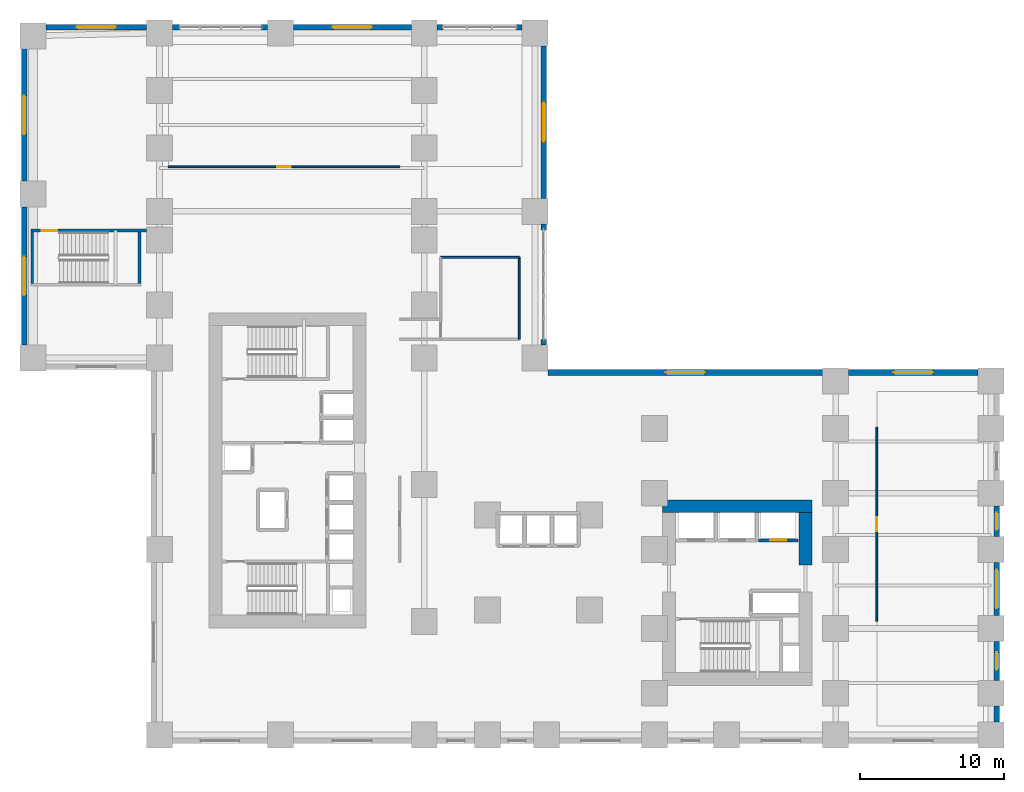
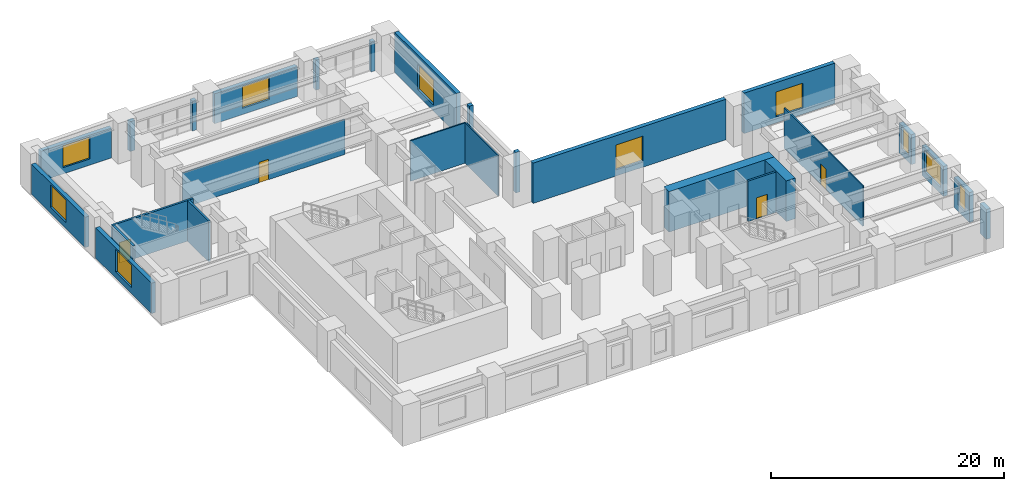
# One storey, part 9 of 13: 27 walls, 10 windows, 4 doors, 14 openings.
"""IFC4 building model written with IfcOpenShell, lengths in metres."""

from ifc_helpers import new_model, si_unit, direction, frame, frame_2d, origin, place, context, subcontext, project, spatial, rectangle, extrude, source, transform, mapped, material, layer, layer_set, type_object, element, fill, save


model = new_model("IFC4")

# Units and contexts
model_context = context("Model", 3, precision=1e-05, world=origin(), true_north=direction((0.0, 1.0)))
body_context = subcontext(model_context, "Body", "Model", "MODEL_VIEW")
ifc_project = project(units=[si_unit("LENGTHUNIT", "METRE"), si_unit("AREAUNIT", "SQUARE_METRE"), si_unit("VOLUMEUNIT", "CUBIC_METRE"), si_unit("PLANEANGLEUNIT", "RADIAN"), si_unit("MASSUNIT", "GRAM", prefix="KILO")], contexts=[model_context])

# Site, building, storey
site_placement = place(None, origin())
site = spatial("IfcSite", under=ifc_project, at=site_placement, CompositionType="ELEMENT")
building_placement = place(site_placement, origin())
building = spatial("IfcBuilding", under=site, at=building_placement, Name="Kharzan Plaza Tower", CompositionType="ELEMENT")
storey_placement = place(building_placement, frame((0.0, 0.0, 4.5)))
storey = spatial("IfcBuildingStorey", under=building, at=storey_placement, Name="L01", CompositionType="ELEMENT", Elevation=4.5)

# Wall, opening, door
ifc_material_1 = material(Name="Fire-Rated Gypsum Board Partition", Category="gypsum")
ifc_layer_1 = layer(ifc_material_1, 0.125)
ifc_layer_set_1 = layer_set([ifc_layer_1], Name="Fire-Rated Gypsum Board Partition")
wall_type_1 = type_object("IfcWallType", Name="WL-INT-PART-125", PredefinedType="PARTITIONING", material=ifc_layer_set_1)
wall_1_placement = place(storey_placement, frame((1.199951171875, 40.10009765625, 0.0), z_axis=(0.0, 0.0, 1.0), x_axis=(1.0, 0.0, 0.0)))
wall_1 = element("IfcWall", 1, at=wall_1_placement, inside=storey, type_object=wall_type_1, Name="L01 Interior Partition L01-W1", PredefinedType="PARTITIONING", context=body_context, shape_type="SweptSolid", body=[
    extrude(rectangle(XDim=16.10009765625, YDim=0.125, at=frame_2d((8.050048828125, 0.0))), origin(), (0.0, 0.0, 1.0), 3.68603515625),
])
opening_1_placement = place(wall_1_placement, frame((7.574951171875, 0.0, 0.0)))
opening_1 = element("IfcOpeningElement", 2, at=opening_1_placement, cuts=wall_1, Name="Opening OD1", PredefinedType="OPENING", context=body_context, shape_type="SweptSolid", body=[
    extrude(rectangle(XDim=0.949951171875, YDim=2.14990234375, at=frame_2d((0.47509765625, 1.074951171875))), frame((0.0, 0.072509765625, 0.0), z_axis=(0.0, -1.0, 0.0), x_axis=(1.0, 0.0, 0.0)), (0.0, 0.0, 1.0), 0.14501953125),
])
ifc_material_2 = material(Name="Acoustic Solid-Core Stained Oak", Category="timber")
door_type_1 = type_object("IfcDoorType", Name="DR-OFF-SINGLE", OperationType="NOTDEFINED", PredefinedType="DOOR", material=ifc_material_2)
shared_shape_1 = source(origin(), body_context, "Body", "SweptSolid", [
    extrude(rectangle(XDim=0.949951171875, YDim=2.14990234375, at=frame_2d((0.47509765625, 1.074951171875))), frame((0.0, 0.02490234375, 0.0), z_axis=(0.0, -1.0, 0.0), x_axis=(1.0, 0.0, 0.0)), (0.0, 0.0, 1.0), 0.050048828125),
])
door_1_placement = place(opening_1_placement, origin())
door_1 = element("IfcDoor", 3, at=door_1_placement, inside=storey, type_object=door_type_1, Name="L01 Exhibition Hall Door", OperationType="SINGLE_SWING_LEFT", OverallHeight=2.14990234375, OverallWidth=0.949951171875, PredefinedType="DOOR", context=body_context, shape_type="MappedRepresentation", body=[
    mapped(shared_shape_1, transform((0.0, 0.0, 0.0), x_axis=(1.0, 0.0, 0.0), y_axis=(0.0, 1.0, 0.0), z_axis=(0.0, 0.0, 1.0))),
])
fill(opening_1, door_1)

wall_2_placement = place(storey_placement, frame((50.449951171875, 8.5, 0.0), z_axis=(0.0, 0.0, 1.0), x_axis=(0.0, 1.0, 0.0)))
wall_2 = element("IfcWall", 4, at=wall_2_placement, inside=storey, type_object=wall_type_1, Name="L01 Interior Partition L01-W2", PredefinedType="PARTITIONING", context=body_context, shape_type="SweptSolid", body=[
    extrude(rectangle(XDim=13.5, YDim=0.125, at=frame_2d((6.75, 0.0))), origin(), (0.0, 0.0, 1.0), 4.235107421875),
])
opening_2_placement = place(wall_2_placement, frame((6.27490234375, 0.0, 0.0)))
opening_2 = element("IfcOpeningElement", 5, at=opening_2_placement, cuts=wall_2, Name="Opening OD1", PredefinedType="OPENING", context=body_context, shape_type="SweptSolid", body=[
    extrude(rectangle(XDim=0.949951171875, YDim=2.14990234375, at=frame_2d((0.47509765625, 1.074951171875))), frame((0.0, 0.072509765625, 0.0), z_axis=(0.0, -1.0, 0.0), x_axis=(1.0, 0.0, 0.0)), (0.0, 0.0, 1.0), 0.14501953125),
])
door_2_placement = place(opening_2_placement, origin())
door_2 = element("IfcDoor", 6, at=door_2_placement, inside=storey, type_object=door_type_1, Name="L01 Lecture Hall Door", OperationType="SINGLE_SWING_RIGHT", OverallHeight=2.14990234375, OverallWidth=0.949951171875, PredefinedType="DOOR", context=body_context, shape_type="MappedRepresentation", body=[
    mapped(shared_shape_1, transform((0.0, 0.0, 0.0), x_axis=(1.0, 0.0, 0.0), y_axis=(0.0, 1.0, 0.0), z_axis=(0.0, 0.0, 1.0))),
])
fill(opening_2, door_2)

ifc_material_3 = material(Name="Concrete C40/50", Category="concrete")
ifc_layer_2 = layer(ifc_material_3, 0.199951171875)
ifc_layer_set_2 = layer_set([ifc_layer_2], Name="Concrete C40/50")
wall_type_2 = type_object("IfcWallType", Name="WL-INT-SHAFT-200", PredefinedType="PARTITIONING", material=ifc_layer_set_2)
wall_3_placement = place(storey_placement, frame((42.22998046875, 14.1298828125, 0.0), z_axis=(0.0, 0.0, 1.0), x_axis=(1.0, 0.0, 0.0)))
wall_3 = element("IfcWall", 7, at=wall_3_placement, inside=storey, type_object=wall_type_2, Name="L01 Interior Partition SHF-PL-L3-S", PredefinedType="PARTITIONING", context=body_context, shape_type="SweptSolid", body=[
    extrude(rectangle(XDim=2.739990234375, YDim=0.199951171875, at=frame_2d((1.3701171875, 0.0))), origin(), (0.0, 0.0, 1.0), 4.235107421875),
])
opening_3_placement = place(wall_3_placement, frame((0.820068359375, 0.0, 0.0)))
opening_3 = element("IfcOpeningElement", 8, at=opening_3_placement, cuts=wall_3, Name="Opening LD", PredefinedType="OPENING", context=body_context, shape_type="SweptSolid", body=[
    extrude(rectangle(XDim=1.10009765625, YDim=2.199951171875, at=frame_2d((0.550048828125, 1.10009765625))), frame((0.0, 0.10986328125, 0.0), z_axis=(0.0, -1.0, 0.0), x_axis=(1.0, 0.0, 0.0)), (0.0, 0.0, 1.0), 0.219970703125),
])
ifc_material_4 = material(Name="Brushed Stainless Steel", Category="steel")
door_type_2 = type_object("IfcDoorType", Name="DR-LIFT-SLIDE", OperationType="SLIDING_TO_LEFT", PredefinedType="DOOR", material=ifc_material_4)
shared_shape_2 = source(origin(), body_context, "Body", "SweptSolid", [
    extrude(rectangle(XDim=1.10009765625, YDim=2.199951171875, at=frame_2d((0.550048828125, 1.10009765625))), frame((0.0, 0.02490234375, 0.0), z_axis=(0.0, -1.0, 0.0), x_axis=(1.0, 0.0, 0.0)), (0.0, 0.0, 1.0), 0.050048828125),
])
door_3_placement = place(opening_3_placement, origin())
door_3 = element("IfcDoor", 9, at=door_3_placement, inside=storey, type_object=door_type_2, Name="L01 Low-Rise Passenger Lift PL-L3 Sliding Landing Door", OperationType="SLIDING_TO_LEFT", OverallHeight=2.199951171875, OverallWidth=1.10009765625, PredefinedType="DOOR", context=body_context, shape_type="MappedRepresentation", body=[
    mapped(shared_shape_2, transform((0.0, 0.0, 0.0), x_axis=(1.0, 0.0, 0.0), y_axis=(0.0, 1.0, 0.0), z_axis=(0.0, 0.0, 1.0))),
])
fill(opening_3, door_3)

# Wall, opening, window
ifc_layer_3 = layer(ifc_material_3, 0.39990234375)
ifc_layer_set_3 = layer_set([ifc_layer_3], Name="Concrete C40/50")
wall_type_3 = type_object("IfcWallType", Name="WL-POD-MAS-400", PredefinedType="SOLIDWALL", material=ifc_layer_set_3)
wall_4_placement = place(storey_placement, frame((57.501953125, 25.800048828125, 0.0), z_axis=(0.0, 0.0, 1.0), x_axis=(-1.0, 0.0, 0.0)))
wall_4 = element("IfcWall", 10, at=wall_4_placement, inside=storey, type_object=wall_type_3, Name="L01 Masonry-Frame Exterior Wall 01", PredefinedType="SOLIDWALL", context=body_context, shape_type="SweptSolid", body=[
    extrude(rectangle(XDim=9.00390625, YDim=0.39990234375, at=frame_2d((4.501953125, 0.0))), origin(), (0.0, 0.0, 1.0), 4.235107421875),
])
opening_4_placement = place(wall_4_placement, frame((3.152099609375, 0.0, 0.64990234375)))
opening_4 = element("IfcOpeningElement", 11, at=opening_4_placement, cuts=wall_4, Name="Opening W4", PredefinedType="OPENING", context=body_context, shape_type="SweptSolid", body=[
    extrude(rectangle(XDim=2.699951171875, YDim=2.60009765625, at=frame_2d((1.35009765625, 1.300048828125))), frame((0.0, 0.2099609375, 0.0), z_axis=(0.0, -1.0, 0.0), x_axis=(1.0, 0.0, 0.0)), (0.0, 0.0, 1.0), 0.419921875),
])
ifc_material_5 = material(Name="Low-E Double Glazing", Category="glass")
window_type_1 = type_object("IfcWindowType", Name="WN-POD-2700x2600", PartitioningType="SINGLE_PANEL", PredefinedType="WINDOW", material=ifc_material_5)
shared_shape_3 = source(origin(), body_context, "Body", "SweptSolid", [
    extrude(rectangle(XDim=2.699951171875, YDim=2.60009765625, at=frame_2d((1.35009765625, 1.300048828125))), frame((0.0, 0.030029296875, 0.0), z_axis=(0.0, -1.0, 0.0), x_axis=(1.0, 0.0, 0.0)), (0.0, 0.0, 1.0), 0.06005859375),
])
window_1_placement = place(opening_4_placement, origin())
window_1 = element("IfcWindow", 12, at=window_1_placement, inside=storey, type_object=window_type_1, Name="L01 Recessed Solar-Control Window 01-1", OverallHeight=2.60009765625, OverallWidth=2.699951171875, PartitioningType="SINGLE_PANEL", PredefinedType="WINDOW", context=body_context, shape_type="MappedRepresentation", body=[
    mapped(shared_shape_3, transform((0.0, 0.0, 0.0), x_axis=(1.0, 0.0, 0.0), y_axis=(0.0, 1.0, 0.0), z_axis=(0.0, 0.0, 1.0))),
])
fill(opening_4, window_1)

wall_5_placement = place(storey_placement, frame((46.701904296875, 25.800048828125, 0.0), z_axis=(0.0, 0.0, 1.0), x_axis=(-1.0, 0.0, 0.0)))
wall_5 = element("IfcWall", 13, at=wall_5_placement, inside=storey, type_object=wall_type_3, Name="L01 Masonry-Frame Exterior Wall 02", PredefinedType="SOLIDWALL", context=body_context, shape_type="SweptSolid", body=[
    extrude(rectangle(XDim=19.10400390625, YDim=0.39990234375, at=frame_2d((9.552001953125, 0.0))), origin(), (0.0, 0.0, 1.0), 4.235107421875),
])
opening_5_placement = place(wall_5_placement, frame((8.201904296875, 0.0, 0.64990234375)))
opening_5 = element("IfcOpeningElement", 14, at=opening_5_placement, cuts=wall_5, Name="Opening W4", PredefinedType="OPENING", context=body_context, shape_type="SweptSolid", body=[
    extrude(rectangle(XDim=2.699951171875, YDim=2.60009765625, at=frame_2d((1.35009765625, 1.300048828125))), frame((0.0, 0.2099609375, 0.0), z_axis=(0.0, -1.0, 0.0), x_axis=(1.0, 0.0, 0.0)), (0.0, 0.0, 1.0), 0.419921875),
])
window_2_placement = place(opening_5_placement, origin())
window_2 = element("IfcWindow", 15, at=window_2_placement, inside=storey, type_object=window_type_1, Name="L01 Recessed Solar-Control Window 02-1", OverallHeight=2.60009765625, OverallWidth=2.699951171875, PartitioningType="SINGLE_PANEL", PredefinedType="WINDOW", context=body_context, shape_type="MappedRepresentation", body=[
    mapped(shared_shape_3, transform((0.0, 0.0, 0.0), x_axis=(1.0, 0.0, 0.0), y_axis=(0.0, 1.0, 0.0), z_axis=(0.0, 0.0, 1.0))),
])
fill(opening_5, window_2)

wall_6_placement = place(storey_placement, frame((27.300048828125, 37.89794921875, 0.0), z_axis=(0.0, 0.0, 1.0), x_axis=(0.0, 1.0, 0.0)))
wall_6 = element("IfcWall", 16, at=wall_6_placement, inside=storey, type_object=wall_type_3, Name="L01 Masonry-Frame Exterior Wall 05", PredefinedType="SOLIDWALL", context=body_context, shape_type="SweptSolid", body=[
    extrude(rectangle(XDim=10.60400390625, YDim=0.39990234375, at=frame_2d((5.302001953125, 0.0))), origin(), (0.0, 0.0, 1.0), 4.235107421875),
])
opening_6_placement = place(wall_6_placement, frame((3.951904296875, 0.0, 0.64990234375)))
opening_6 = element("IfcOpeningElement", 17, at=opening_6_placement, cuts=wall_6, Name="Opening W4", PredefinedType="OPENING", context=body_context, shape_type="SweptSolid", body=[
    extrude(rectangle(XDim=2.699951171875, YDim=2.60009765625, at=frame_2d((1.35009765625, 1.300048828125))), frame((0.0, 0.2099609375, 0.0), z_axis=(0.0, -1.0, 0.0), x_axis=(1.0, 0.0, 0.0)), (0.0, 0.0, 1.0), 0.419921875),
])
window_3_placement = place(opening_6_placement, origin())
window_3 = element("IfcWindow", 18, at=window_3_placement, inside=storey, type_object=window_type_1, Name="L01 Recessed Solar-Control Window 05-1", OverallHeight=2.60009765625, OverallWidth=2.699951171875, PartitioningType="SINGLE_PANEL", PredefinedType="WINDOW", context=body_context, shape_type="MappedRepresentation", body=[
    mapped(shared_shape_3, transform((0.0, 0.0, 0.0), x_axis=(1.0, 0.0, 0.0), y_axis=(0.0, 1.0, 0.0), z_axis=(0.0, 0.0, 1.0))),
])
fill(opening_6, window_3)

wall_7_placement = place(storey_placement, frame((18.10205078125, 49.800048828125, 0.0), z_axis=(0.0, 0.0, 1.0), x_axis=(-1.0, 0.0, 0.0)))
wall_7 = element("IfcWall", 19, at=wall_7_placement, inside=storey, type_object=wall_type_3, Name="L01 Masonry-Frame Exterior Wall 08", PredefinedType="SOLIDWALL", context=body_context, shape_type="SweptSolid", body=[
    extrude(rectangle(XDim=8.2041015625, YDim=0.39990234375, at=frame_2d((4.10205078125, 0.0))), origin(), (0.0, 0.0, 1.0), 3.135009765625),
])
opening_7_placement = place(wall_7_placement, frame((2.751953125, 0.0, 0.64990234375)))
opening_7 = element("IfcOpeningElement", 20, at=opening_7_placement, cuts=wall_7, Name="Opening W4", PredefinedType="OPENING", context=body_context, shape_type="SweptSolid", body=[
    extrude(rectangle(XDim=2.699951171875, YDim=2.304931640625, at=frame_2d((1.35009765625, 1.15234375))), frame((0.0, 0.2099609375, 0.0), z_axis=(0.0, -1.0, 0.0), x_axis=(1.0, 0.0, 0.0)), (0.0, 0.0, 1.0), 0.419921875),
])
shared_shape_4 = source(origin(), body_context, "Body", "SweptSolid", [
    extrude(rectangle(XDim=2.699951171875, YDim=2.304931640625, at=frame_2d((1.35009765625, 1.15234375))), frame((0.0, 0.030029296875, 0.0), z_axis=(0.0, -1.0, 0.0), x_axis=(1.0, 0.0, 0.0)), (0.0, 0.0, 1.0), 0.06005859375),
])
window_4_placement = place(opening_7_placement, origin())
window_4 = element("IfcWindow", 21, at=window_4_placement, inside=storey, type_object=window_type_1, Name="L01 Recessed Solar-Control Window 08-1", OverallHeight=2.304931640625, OverallWidth=2.699951171875, PartitioningType="SINGLE_PANEL", PredefinedType="WINDOW", context=body_context, shape_type="MappedRepresentation", body=[
    mapped(shared_shape_4, transform((0.0, 0.0, 0.0), x_axis=(1.0, 0.0, 0.0), y_axis=(0.0, 1.0, 0.0), z_axis=(0.0, 0.0, 1.0))),
])
fill(opening_7, window_4)

wall_8_placement = place(storey_placement, frame((-0.298095703125, 49.800048828125, 0.0), z_axis=(0.0, 0.0, 1.0), x_axis=(-1.0, 0.0, 0.0)))
wall_8 = element("IfcWall", 22, at=wall_8_placement, inside=storey, type_object=wall_type_3, Name="L01 Masonry-Frame Exterior Wall 11", PredefinedType="SOLIDWALL", context=body_context, shape_type="SweptSolid", body=[
    extrude(rectangle(XDim=7.00390625, YDim=0.39990234375, at=frame_2d((3.501953125, 0.0))), origin(), (0.0, 0.0, 1.0), 3.135009765625),
])
opening_8_placement = place(wall_8_placement, frame((2.152099609375, 0.0, 0.64990234375)))
opening_8 = element("IfcOpeningElement", 23, at=opening_8_placement, cuts=wall_8, Name="Opening W4", PredefinedType="OPENING", context=body_context, shape_type="SweptSolid", body=[
    extrude(rectangle(XDim=2.699951171875, YDim=2.304931640625, at=frame_2d((1.35009765625, 1.15234375))), frame((0.0, 0.2099609375, 0.0), z_axis=(0.0, -1.0, 0.0), x_axis=(1.0, 0.0, 0.0)), (0.0, 0.0, 1.0), 0.419921875),
])
window_5_placement = place(opening_8_placement, origin())
window_5 = element("IfcWindow", 24, at=window_5_placement, inside=storey, type_object=window_type_1, Name="L01 Recessed Solar-Control Window 11-1", OverallHeight=2.304931640625, OverallWidth=2.699951171875, PartitioningType="SINGLE_PANEL", PredefinedType="WINDOW", context=body_context, shape_type="MappedRepresentation", body=[
    mapped(shared_shape_4, transform((0.0, 0.0, 0.0), x_axis=(1.0, 0.0, 0.0), y_axis=(0.0, 1.0, 0.0), z_axis=(0.0, 0.0, 1.0))),
])
fill(opening_8, window_5)

wall_9_placement = place(storey_placement, frame((-8.800048828125, 48.302001953125, 0.0), z_axis=(0.0, 0.0, 1.0), x_axis=(0.0, -1.0, 0.0)))
wall_9 = element("IfcWall", 25, at=wall_9_placement, inside=storey, type_object=wall_type_3, Name="L01 Masonry-Frame Exterior Wall 12", PredefinedType="SOLIDWALL", context=body_context, shape_type="SweptSolid", body=[
    extrude(rectangle(XDim=9.2041015625, YDim=0.39990234375, at=frame_2d((4.60205078125, 0.0))), origin(), (0.0, 0.0, 1.0), 3.18505859375),
])
opening_9_placement = place(wall_9_placement, frame((3.251953125, 0.0, 0.64990234375)))
opening_9 = element("IfcOpeningElement", 26, at=opening_9_placement, cuts=wall_9, Name="Opening W4", PredefinedType="OPENING", context=body_context, shape_type="SweptSolid", body=[
    extrude(rectangle(XDim=2.699951171875, YDim=2.35498046875, at=frame_2d((1.35009765625, 1.177490234375))), frame((0.0, 0.2099609375, 0.0), z_axis=(0.0, -1.0, 0.0), x_axis=(1.0, 0.0, 0.0)), (0.0, 0.0, 1.0), 0.419921875),
])
shared_shape_5 = source(origin(), body_context, "Body", "SweptSolid", [
    extrude(rectangle(XDim=2.699951171875, YDim=2.35498046875, at=frame_2d((1.35009765625, 1.177490234375))), frame((0.0, 0.030029296875, 0.0), z_axis=(0.0, -1.0, 0.0), x_axis=(1.0, 0.0, 0.0)), (0.0, 0.0, 1.0), 0.06005859375),
])
window_6_placement = place(opening_9_placement, origin())
window_6 = element("IfcWindow", 27, at=window_6_placement, inside=storey, type_object=window_type_1, Name="L01 Recessed Solar-Control Window 12-1", OverallHeight=2.35498046875, OverallWidth=2.699951171875, PartitioningType="SINGLE_PANEL", PredefinedType="WINDOW", context=body_context, shape_type="MappedRepresentation", body=[
    mapped(shared_shape_5, transform((0.0, 0.0, 0.0), x_axis=(1.0, 0.0, 0.0), y_axis=(0.0, 1.0, 0.0), z_axis=(0.0, 0.0, 1.0))),
])
fill(opening_9, window_6)

wall_10_placement = place(storey_placement, frame((-8.800048828125, 37.302001953125, 0.0), z_axis=(0.0, 0.0, 1.0), x_axis=(0.0, -1.0, 0.0)))
wall_10 = element("IfcWall", 28, at=wall_10_placement, inside=storey, type_object=wall_type_3, Name="L01 Masonry-Frame Exterior Wall 13", PredefinedType="SOLIDWALL", context=body_context, shape_type="SweptSolid", body=[
    extrude(rectangle(XDim=9.60400390625, YDim=0.39990234375, at=frame_2d((4.802001953125, 0.0))), origin(), (0.0, 0.0, 1.0), 3.18505859375),
])
opening_10_placement = place(wall_10_placement, frame((3.451904296875, 0.0, 0.64990234375)))
opening_10 = element("IfcOpeningElement", 29, at=opening_10_placement, cuts=wall_10, Name="Opening W4", PredefinedType="OPENING", context=body_context, shape_type="SweptSolid", body=[
    extrude(rectangle(XDim=2.699951171875, YDim=2.35498046875, at=frame_2d((1.35009765625, 1.177490234375))), frame((0.0, 0.2099609375, 0.0), z_axis=(0.0, -1.0, 0.0), x_axis=(1.0, 0.0, 0.0)), (0.0, 0.0, 1.0), 0.419921875),
])
window_7_placement = place(opening_10_placement, origin())
window_7 = element("IfcWindow", 30, at=window_7_placement, inside=storey, type_object=window_type_1, Name="L01 Recessed Solar-Control Window 13-1", OverallHeight=2.35498046875, OverallWidth=2.699951171875, PartitioningType="SINGLE_PANEL", PredefinedType="WINDOW", context=body_context, shape_type="MappedRepresentation", body=[
    mapped(shared_shape_5, transform((0.0, 0.0, 0.0), x_axis=(1.0, 0.0, 0.0), y_axis=(0.0, 1.0, 0.0), z_axis=(0.0, 0.0, 1.0))),
])
fill(opening_10, window_7)

wall_11_placement = place(storey_placement, frame((58.800048828125, 4.39794921875, 0.0), z_axis=(0.0, 0.0, 1.0), x_axis=(0.0, 1.0, 0.0)))
wall_11 = element("IfcWall", 31, at=wall_11_placement, inside=storey, type_object=wall_type_3, Name="L01 Masonry-Frame Exterior Wall 26", PredefinedType="SOLIDWALL", context=body_context, shape_type="SweptSolid", body=[
    extrude(rectangle(XDim=2.7041015625, YDim=0.39990234375, at=frame_2d((1.35205078125, 0.0))), origin(), (0.0, 0.0, 1.0), 3.135009765625),
])
opening_11_placement = place(wall_11_placement, frame((0.751953125, 0.0, 0.64990234375)))
opening_11 = element("IfcOpeningElement", 32, at=opening_11_placement, cuts=wall_11, Name="Opening W3", PredefinedType="OPENING", context=body_context, shape_type="SweptSolid", body=[
    extrude(rectangle(XDim=1.199951171875, YDim=2.304931640625, at=frame_2d((0.60009765625, 1.15234375))), frame((0.0, 0.2099609375, 0.0), z_axis=(0.0, -1.0, 0.0), x_axis=(1.0, 0.0, 0.0)), (0.0, 0.0, 1.0), 0.419921875),
])
window_type_2 = type_object("IfcWindowType", Name="WN-REC-1200x2100", PartitioningType="SINGLE_PANEL", PredefinedType="WINDOW", material=ifc_material_5)
shared_shape_6 = source(origin(), body_context, "Body", "SweptSolid", [
    extrude(rectangle(XDim=1.199951171875, YDim=2.304931640625, at=frame_2d((0.60009765625, 1.15234375))), frame((0.0, 0.030029296875, 0.0), z_axis=(0.0, -1.0, 0.0), x_axis=(1.0, 0.0, 0.0)), (0.0, 0.0, 1.0), 0.06005859375),
])
window_8_placement = place(opening_11_placement, origin())
window_8 = element("IfcWindow", 33, at=window_8_placement, inside=storey, type_object=window_type_2, Name="L01 Recessed Solar-Control Window 26-1", OverallHeight=2.304931640625, OverallWidth=1.199951171875, PartitioningType="SINGLE_PANEL", PredefinedType="WINDOW", context=body_context, shape_type="MappedRepresentation", body=[
    mapped(shared_shape_6, transform((0.0, 0.0, 0.0), x_axis=(1.0, 0.0, 0.0), y_axis=(0.0, 1.0, 0.0), z_axis=(0.0, 0.0, 1.0))),
])
fill(opening_11, window_8)

wall_12_placement = place(storey_placement, frame((58.800048828125, 8.89794921875, 0.0), z_axis=(0.0, 0.0, 1.0), x_axis=(0.0, 1.0, 0.0)))
wall_12 = element("IfcWall", 34, at=wall_12_placement, inside=storey, type_object=wall_type_3, Name="L01 Masonry-Frame Exterior Wall 27", PredefinedType="SOLIDWALL", context=body_context, shape_type="SweptSolid", body=[
    extrude(rectangle(XDim=3.7041015625, YDim=0.39990234375, at=frame_2d((1.85205078125, 0.0))), origin(), (0.0, 0.0, 1.0), 3.135009765625),
])
opening_12_placement = place(wall_12_placement, frame((0.501953125, 0.0, 0.64990234375)))
opening_12 = element("IfcOpeningElement", 35, at=opening_12_placement, cuts=wall_12, Name="Opening W4", PredefinedType="OPENING", context=body_context, shape_type="SweptSolid", body=[
    extrude(rectangle(XDim=2.699951171875, YDim=2.304931640625, at=frame_2d((1.35009765625, 1.15234375))), frame((0.0, 0.2099609375, 0.0), z_axis=(0.0, -1.0, 0.0), x_axis=(1.0, 0.0, 0.0)), (0.0, 0.0, 1.0), 0.419921875),
])
window_9_placement = place(opening_12_placement, origin())
window_9 = element("IfcWindow", 36, at=window_9_placement, inside=storey, type_object=window_type_1, Name="L01 Recessed Solar-Control Window 27-1", OverallHeight=2.304931640625, OverallWidth=2.699951171875, PartitioningType="SINGLE_PANEL", PredefinedType="WINDOW", context=body_context, shape_type="MappedRepresentation", body=[
    mapped(shared_shape_4, transform((0.0, 0.0, 0.0), x_axis=(1.0, 0.0, 0.0), y_axis=(0.0, 1.0, 0.0), z_axis=(0.0, 0.0, 1.0))),
])
fill(opening_12, window_9)

wall_13_placement = place(storey_placement, frame((58.800048828125, 14.39794921875, 0.0), z_axis=(0.0, 0.0, 1.0), x_axis=(0.0, 1.0, 0.0)))
wall_13 = element("IfcWall", 37, at=wall_13_placement, inside=storey, type_object=wall_type_3, Name="L01 Masonry-Frame Exterior Wall 28", PredefinedType="SOLIDWALL", context=body_context, shape_type="SweptSolid", body=[
    extrude(rectangle(XDim=2.10400390625, YDim=0.39990234375, at=frame_2d((1.052001953125, 0.0))), origin(), (0.0, 0.0, 1.0), 3.135009765625),
])
opening_13_placement = place(wall_13_placement, frame((0.451904296875, 0.0, 0.64990234375)))
opening_13 = element("IfcOpeningElement", 38, at=opening_13_placement, cuts=wall_13, Name="Opening W3", PredefinedType="OPENING", context=body_context, shape_type="SweptSolid", body=[
    extrude(rectangle(XDim=1.199951171875, YDim=2.304931640625, at=frame_2d((0.60009765625, 1.15234375))), frame((0.0, 0.2099609375, 0.0), z_axis=(0.0, -1.0, 0.0), x_axis=(1.0, 0.0, 0.0)), (0.0, 0.0, 1.0), 0.419921875),
])
window_10_placement = place(opening_13_placement, origin())
window_10 = element("IfcWindow", 39, at=window_10_placement, inside=storey, type_object=window_type_2, Name="L01 Recessed Solar-Control Window 28-1", OverallHeight=2.304931640625, OverallWidth=1.199951171875, PartitioningType="SINGLE_PANEL", PredefinedType="WINDOW", context=body_context, shape_type="MappedRepresentation", body=[
    mapped(shared_shape_6, transform((0.0, 0.0, 0.0), x_axis=(1.0, 0.0, 0.0), y_axis=(0.0, 1.0, 0.0), z_axis=(0.0, 0.0, 1.0))),
])
fill(opening_13, window_10)

# Wall, opening, door
ifc_material_6 = material(Name="Concrete C50/60", Category="concrete")
ifc_layer_4 = layer(ifc_material_6, 0.199951171875)
ifc_layer_set_4 = layer_set([ifc_layer_4], Name="Concrete C50/60")
wall_type_4 = type_object("IfcWallType", Name="WL-SHAFT-RC200", PredefinedType="SHEAR", material=ifc_layer_set_4)
wall_14_placement = place(storey_placement, frame((-8.35009765625, 35.655029296875, 0.0), z_axis=(0.0, 0.0, 1.0), x_axis=(1.0, 0.0, 0.0)))
wall_14 = element("IfcWall", 40, at=wall_14_placement, inside=storey, type_object=wall_type_4, Name="L01 Stair ST-4 North RC Shaft Wall", PredefinedType="SHEAR", context=body_context, shape_type="SweptSolid", body=[
    extrude(rectangle(XDim=8.050048828125, YDim=0.199951171875, at=frame_2d((4.02490234375, 0.0))), origin(), (0.0, 0.0, 1.0), 4.25),
])
opening_14_placement = place(wall_14_placement, frame((0.75, 0.0, 0.0)))
opening_14 = element("IfcOpeningElement", 41, at=opening_14_placement, cuts=wall_14, Name="Opening SD1", PredefinedType="OPENING", context=body_context, shape_type="SweptSolid", body=[
    extrude(rectangle(XDim=1.10009765625, YDim=2.14990234375, at=frame_2d((0.550048828125, 1.074951171875))), frame((0.0, 0.10986328125, 0.0), z_axis=(0.0, -1.0, 0.0), x_axis=(1.0, 0.0, 0.0)), (0.0, 0.0, 1.0), 0.219970703125),
])
ifc_material_7 = material(Name="Fire-Rated Hollow Galvanized Steel", Category="steel")
door_type_3 = type_object("IfcDoorType", Name="DR-STAIR-FD120", OperationType="NOTDEFINED", PredefinedType="DOOR", material=ifc_material_7)
shared_shape_7 = source(origin(), body_context, "Body", "SweptSolid", [
    extrude(rectangle(XDim=1.10009765625, YDim=2.14990234375, at=frame_2d((0.550048828125, 1.074951171875))), frame((0.0, 0.02490234375, 0.0), z_axis=(0.0, -1.0, 0.0), x_axis=(1.0, 0.0, 0.0)), (0.0, 0.0, 1.0), 0.050048828125),
])
door_4_placement = place(opening_14_placement, origin())
door_4 = element("IfcDoor", 42, at=door_4_placement, inside=storey, type_object=door_type_3, Name="L01 Podium Stair ST-4 Fire Exit Door", OperationType="SINGLE_SWING_LEFT", OverallHeight=2.14990234375, OverallWidth=1.10009765625, PredefinedType="DOOR", context=body_context, shape_type="MappedRepresentation", body=[
    mapped(shared_shape_7, transform((0.0, 0.0, 0.0), x_axis=(1.0, 0.0, 0.0), y_axis=(0.0, 1.0, 0.0), z_axis=(0.0, 0.0, 1.0))),
])
fill(opening_14, door_4)

# Walls
ifc_material_8 = material(Name="Concrete C60/75", Category="concrete")
ifc_layer_5 = layer(ifc_material_8, 0.89990234375)
ifc_layer_set_5 = layer_set([ifc_layer_5], Name="Concrete C60/75")
wall_type_5 = type_object("IfcWallType", Name="WL-CORE-900", PredefinedType="SHEAR", material=ifc_layer_set_5)
shared_shape_8 = source(origin(), body_context, "Body", "SweptSolid", [
    extrude(rectangle(XDim=3.650146484375, YDim=0.89990234375, at=frame_2d((1.8251953125, 0.0))), origin(), (0.0, 0.0, 1.0), 4.25),
])
wall_15_placement = place(storey_placement, frame((45.5, 12.39990234375, 0.0), z_axis=(0.0, 0.0, 1.0), x_axis=(0.0, 1.0, 0.0)))
element("IfcWall", 43, at=wall_15_placement, inside=storey, type_object=wall_type_5, Name="L01 CORE-B east shear pier 2", PredefinedType="SHEAR", context=body_context, shape_type="MappedRepresentation", body=[
    mapped(shared_shape_8, transform((0.0, 0.0, 0.0), x_axis=(1.0, 0.0, 0.0), y_axis=(0.0, 1.0, 0.0), z_axis=(0.0, 0.0, 1.0))),
])
shared_shape_9 = source(origin(), body_context, "Body", "SweptSolid", [
    extrude(rectangle(XDim=10.39990234375, YDim=0.89990234375, at=frame_2d((5.199951171875, 0.0))), origin(), (0.0, 0.0, 1.0), 4.25),
])
wall_16_placement = place(storey_placement, frame((35.550048828125, 16.5, 0.0), z_axis=(0.0, 0.0, 1.0), x_axis=(1.0, 0.0, 0.0)))
element("IfcWall", 44, at=wall_16_placement, inside=storey, type_object=wall_type_5, Name="L01 CORE-B north RC shear wall", PredefinedType="SHEAR", context=body_context, shape_type="MappedRepresentation", body=[
    mapped(shared_shape_9, transform((0.0, 0.0, 0.0), x_axis=(1.0, 0.0, 0.0), y_axis=(0.0, 1.0, 0.0), z_axis=(0.0, 0.0, 1.0))),
])
shared_shape_10 = source(origin(), body_context, "Body", "SweptSolid", [
    extrude(rectangle(XDim=0.402099609375, YDim=0.39990234375, at=frame_2d((0.201171875, 0.0))), origin(), (0.0, 0.0, 1.0), 4.235107421875),
])
for number, where, z_axis, x_axis, name in (
    (45, (27.300048828125, 27.697998046875, 0.0), (0.0, 0.0, 1.0), (0.0, 1.0, 0.0), "L01 Masonry-Frame Exterior Wall 03"),
    (46, (27.300048828125, 35.699951171875, 0.0), (0.0, 0.0, 1.0), (0.0, 1.0, 0.0), "L01 Masonry-Frame Exterior Wall 04"),
):
    element("IfcWall", number, at=place(storey_placement, frame(where, z_axis=z_axis, x_axis=x_axis)), inside=storey, type_object=wall_type_3, Name=name, PredefinedType="SOLIDWALL", context=body_context, shape_type="MappedRepresentation", body=[
        mapped(shared_shape_10, transform((0.0, 0.0, 0.0), x_axis=(1.0, 0.0, 0.0), y_axis=(0.0, 1.0, 0.0), z_axis=(0.0, 0.0, 1.0))),
    ])
shared_shape_11 = source(origin(), body_context, "Body", "SweptSolid", [
    extrude(rectangle(XDim=0.402099609375, YDim=0.39990234375, at=frame_2d((0.201171875, 0.0))), origin(), (0.0, 0.0, 1.0), 3.135009765625),
])
for number, where, z_axis, x_axis, name in (
    (47, (25.802001953125, 49.800048828125, 0.0), (0.0, 0.0, 1.0), (-1.0, 0.0, 0.0), "L01 Masonry-Frame Exterior Wall 06"),
    (48, (20.300048828125, 49.800048828125, 0.0), (0.0, 0.0, 1.0), (-1.0, 0.0, 0.0), "L01 Masonry-Frame Exterior Wall 07"),
    (49, (8.10205078125, 49.800048828125, 0.0), (0.0, 0.0, 1.0), (-1.0, 0.0, 0.0), "L01 Masonry-Frame Exterior Wall 09"),
):
    element("IfcWall", number, at=place(storey_placement, frame(where, z_axis=z_axis, x_axis=x_axis)), inside=storey, type_object=wall_type_3, Name=name, PredefinedType="SOLIDWALL", context=body_context, shape_type="MappedRepresentation", body=[
        mapped(shared_shape_11, transform((0.0, 0.0, 0.0), x_axis=(1.0, 0.0, 0.0), y_axis=(0.0, 1.0, 0.0), z_axis=(0.0, 0.0, 1.0))),
    ])
shared_shape_12 = source(origin(), body_context, "Body", "SweptSolid", [
    extrude(rectangle(XDim=1.10400390625, YDim=0.39990234375, at=frame_2d((0.552001953125, 0.0))), origin(), (0.0, 0.0, 1.0), 3.135009765625),
])
wall_17_placement = place(storey_placement, frame((58.800048828125, 1.498046875, 0.0), z_axis=(0.0, 0.0, 1.0), x_axis=(0.0, 1.0, 0.0)))
element("IfcWall", 50, at=wall_17_placement, inside=storey, type_object=wall_type_3, Name="L01 Masonry-Frame Exterior Wall 25", PredefinedType="SOLIDWALL", context=body_context, shape_type="MappedRepresentation", body=[
    mapped(shared_shape_12, transform((0.0, 0.0, 0.0), x_axis=(1.0, 0.0, 0.0), y_axis=(0.0, 1.0, 0.0), z_axis=(0.0, 0.0, 1.0))),
])
shared_shape_13 = source(origin(), body_context, "Body", "SweptSolid", [
    extrude(rectangle(XDim=5.699951171875, YDim=0.125, at=frame_2d((2.85009765625, 0.0))), origin(), (0.0, 0.0, 1.0), 4.235107421875),
])
wall_18_placement = place(storey_placement, frame((25.60009765625, 28.10009765625, 0.0), z_axis=(0.0, 0.0, 1.0), x_axis=(0.0, 1.0, 0.0)))
element("IfcWall", 51, at=wall_18_placement, inside=storey, type_object=wall_type_1, Name="L01 Interior Partition L01-WCPE", PredefinedType="PARTITIONING", context=body_context, shape_type="MappedRepresentation", body=[
    mapped(shared_shape_13, transform((0.0, 0.0, 0.0), x_axis=(1.0, 0.0, 0.0), y_axis=(0.0, 1.0, 0.0), z_axis=(0.0, 0.0, 1.0))),
])
shared_shape_14 = source(origin(), body_context, "Body", "SweptSolid", [
    extrude(rectangle(XDim=5.4501953125, YDim=0.125, at=frame_2d((2.72509765625, 0.0))), origin(), (0.0, 0.0, 1.0), 4.235107421875),
])
wall_19_placement = place(storey_placement, frame((20.14990234375, 33.800048828125, 0.0), z_axis=(0.0, 0.0, 1.0), x_axis=(1.0, 0.0, 0.0)))
element("IfcWall", 52, at=wall_19_placement, inside=storey, type_object=wall_type_1, Name="L01 Interior Partition L01-WCPN2", PredefinedType="PARTITIONING", context=body_context, shape_type="MappedRepresentation", body=[
    mapped(shared_shape_14, transform((0.0, 0.0, 0.0), x_axis=(1.0, 0.0, 0.0), y_axis=(0.0, 1.0, 0.0), z_axis=(0.0, 0.0, 1.0))),
])
shared_shape_15 = source(origin(), body_context, "Body", "SweptSolid", [
    extrude(rectangle(XDim=3.559814453125, YDim=0.199951171875, at=frame_2d((1.77978515625, 0.0))), origin(), (0.0, 0.0, 1.0), 4.25),
])
for number, where, z_axis, x_axis, name in (
    (53, (-0.794921875, 31.9951171875, 0.0), (0.0, 0.0, 1.0), (0.0, 1.0, 0.0), "L01 Stair ST-4 East RC Shaft Wall"),
    (54, (-8.25, 31.9951171875, 0.0), (0.0, 0.0, 1.0), (0.0, 1.0, 0.0), "L01 Stair ST-4 West RC Shaft Wall"),
):
    element("IfcWall", number, at=place(storey_placement, frame(where, z_axis=z_axis, x_axis=x_axis)), inside=storey, type_object=wall_type_4, Name=name, PredefinedType="SHEAR", context=body_context, shape_type="MappedRepresentation", body=[
        mapped(shared_shape_15, transform((0.0, 0.0, 0.0), x_axis=(1.0, 0.0, 0.0), y_axis=(0.0, 1.0, 0.0), z_axis=(0.0, 0.0, 1.0))),
    ])
shared_shape_16 = source(origin(), body_context, "Body", "SweptSolid", [
    extrude(rectangle(XDim=0.501953125, YDim=0.39990234375, at=frame_2d((0.2509765625, 0.0))), origin(), (0.0, 0.0, 1.0), 3.135009765625),
])
wall_20_placement = place(storey_placement, frame((2.0, 49.800048828125, 0.0), z_axis=(0.0, 0.0, 1.0), x_axis=(-1.0, 0.0, 0.0)))
element("IfcWall", 55, at=wall_20_placement, inside=storey, type_object=wall_type_3, Name="L01 Masonry-Frame Exterior Wall 10", PredefinedType="SOLIDWALL", context=body_context, shape_type="MappedRepresentation", body=[
    mapped(shared_shape_16, transform((0.0, 0.0, 0.0), x_axis=(1.0, 0.0, 0.0), y_axis=(0.0, 1.0, 0.0), z_axis=(0.0, 0.0, 1.0))),
])

save(model, "model.ifc")
